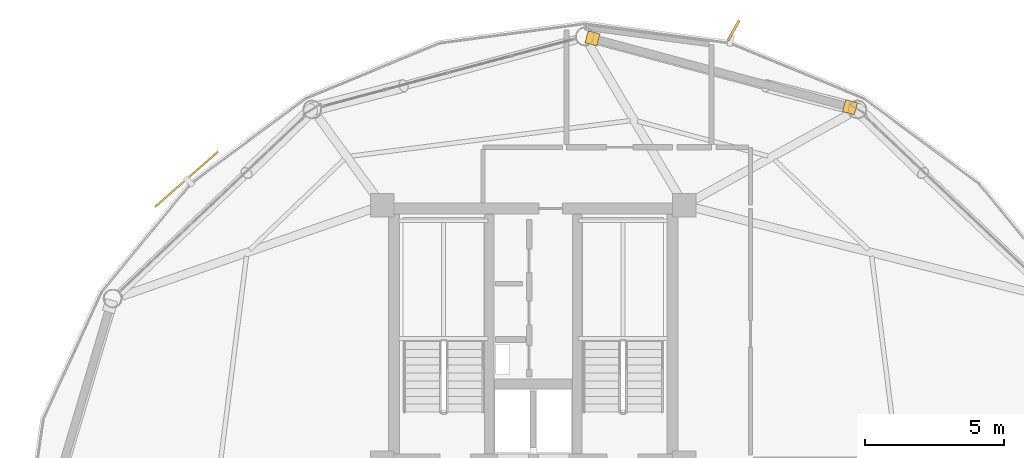
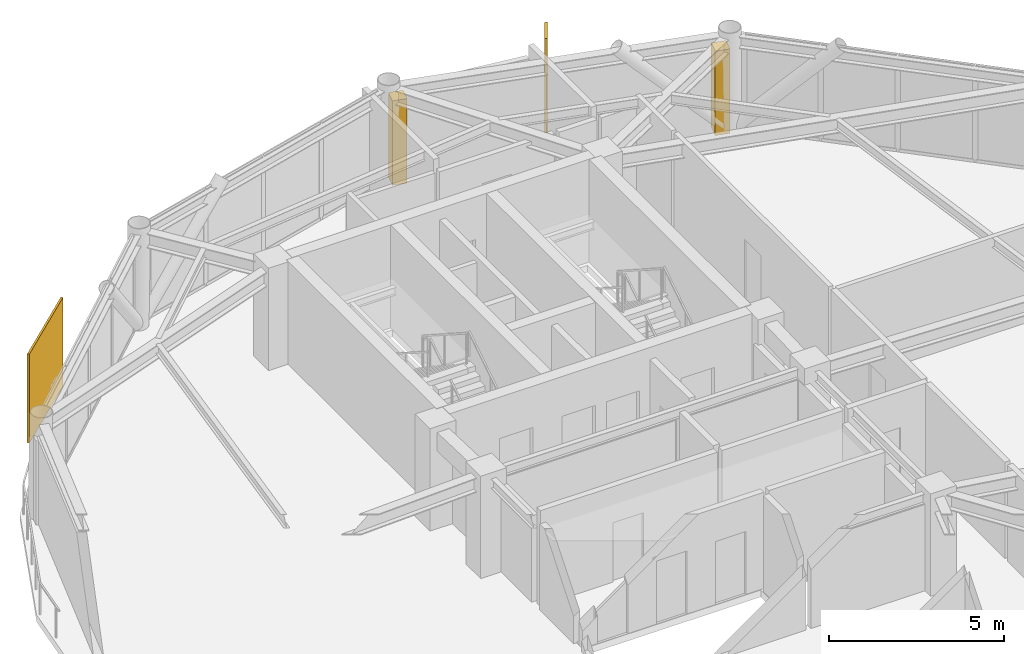
# One storey, part 29 of 29: 2 coverings, 2 shading devices.
"""IFC4 building model written with IfcOpenShell, lengths in metres."""

from ifc_helpers import new_model, si_unit, direction, frame, origin, origin_2d, place, context, subcontext, project, spatial, rectangle, extrude, source, transform, mapped, material, layer, layer_set, type_object, type_shapes, element, save


model = new_model("IFC4")

# Units and contexts
model_context = context("Model", 3, precision=1e-05, world=origin(), true_north=direction((0.0, 1.0)))
body_context = subcontext(model_context, "Body", "Model", "MODEL_VIEW")
ifc_project = project(units=[si_unit("LENGTHUNIT", "METRE"), si_unit("AREAUNIT", "SQUARE_METRE"), si_unit("VOLUMEUNIT", "CUBIC_METRE"), si_unit("PLANEANGLEUNIT", "RADIAN"), si_unit("MASSUNIT", "GRAM", prefix="KILO")], contexts=[model_context])

# Site, building, storey
site_placement = place(None, origin())
site = spatial("IfcSite", under=ifc_project, at=site_placement, CompositionType="ELEMENT")
building_placement = place(site_placement, origin())
building = spatial("IfcBuilding", under=site, at=building_placement, Name="Varnakorn Sky Granary", CompositionType="ELEMENT")
storey_placement = place(building_placement, frame((0.0, 0.0, 182.39990234375)))
storey = spatial("IfcBuildingStorey", under=building, at=storey_placement, Name="L45", CompositionType="ELEMENT", Elevation=182.39990234375)

# Shading devices
ifc_material = material(Name="Anodised Bronze Aluminium Alloy 6063-T6", Category="aluminium")
shading_device_type_1 = type_object("IfcShadingDeviceType", Name="SH-SCR-02", PredefinedType="USERDEFINED", material=ifc_material)
shared_shape_1 = source(origin(), body_context, "Body", "SweptSolid", [
    extrude(rectangle(XDim=3.0, YDim=0.06494140625, at=origin_2d()), origin(), (0.0, 0.0, 1.0), 3.10009765625),
])
type_shapes(shading_device_type_1, [shared_shape_1])
shading_device_1_placement = place(storey_placement, frame((-9.441650390625, 13.552001953125, -0.0400390625), z_axis=(0.0, 0.0, 1.0), x_axis=(-0.75159361985, -0.659626432612, 0.0)))
element("IfcShadingDevice", 1, at=shading_device_1_placement, inside=storey, type_object=shading_device_type_1, Name="Perforated Bronze Solar Screen Panel SCREEN L45-05", ObjectType="SCREEN", PredefinedType="USERDEFINED", context=body_context, shape_type="MappedRepresentation", body=[
    mapped(shared_shape_1, transform((0.0, 0.0, 0.0), x_axis=(1.0, 0.0, 0.0), y_axis=(0.0, 1.0, 0.0), z_axis=(0.0, 0.0, 1.0), scale=1.0)),
])
shading_device_type_2 = type_object("IfcShadingDeviceType", Name="SH-FIN-02", PredefinedType="USERDEFINED", material=ifc_material)
shared_shape_2 = source(origin(), body_context, "Body", "SweptSolid", [
    extrude(rectangle(XDim=0.0849609375, YDim=0.820068359375, at=origin_2d()), origin(), (0.0, 0.0, 1.0), 3.300048828125),
])
type_shapes(shading_device_type_2, [shared_shape_2])
shading_device_2_placement = place(storey_placement, frame((10.185546875, 18.888916015625, -0.0400390625), z_axis=(0.0, 0.0, 1.0), x_axis=(-0.871138964464, 0.49103656136, 0.0)))
element("IfcShadingDevice", 2, at=shading_device_2_placement, inside=storey, type_object=shading_device_type_2, Name="Bronze Solar-Tracking Vertical Blade FIN L45-03", ObjectType="FIN", PredefinedType="USERDEFINED", context=body_context, shape_type="MappedRepresentation", body=[
    mapped(shared_shape_2, transform((0.0, 0.0, 0.0), x_axis=(1.0, 0.0, 0.0), y_axis=(0.0, 1.0, 0.0), z_axis=(0.0, 0.0, 1.0), scale=1.0)),
])

# Coverings
ifc_layer = layer(ifc_material, 0.050048828125, Name="Anodised Bronze Aluminium Alloy 6063-T6")
ifc_layer_set = layer_set([ifc_layer], Name="Anodised Bronze Aluminium Alloy 6063-T6")
covering_type = type_object("IfcCoveringType", Name="CV-CLAD-50", PredefinedType="CLADDING", material=ifc_layer_set)
shared_shape_3 = source(origin(), body_context, "Body", "SweptSolid", [
    extrude(rectangle(XDim=0.43994140625, YDim=0.43994140625, at=origin_2d()), origin(), (0.0, 0.0, 1.0), 2.949951171875),
])
type_shapes(covering_type, [shared_shape_3])
for number, where, z_axis, x_axis, name in (
    (3, (5.125244140625, 18.6083984375, -0.02001953125), (0.0, 0.0, 1.0), (0.96601611233, -0.258481857621, 0.0), "Bronze Corner Pilaster Closure L45-P03-A"),
    (4, (14.36474609375, 16.135986328125, -0.02001953125), (0.0, 0.0, 1.0), (0.96601611233, -0.258481857621, 0.0), "Bronze Corner Pilaster Closure L45-P03-B"),
):
    element("IfcCovering", number, at=place(storey_placement, frame(where, z_axis=z_axis, x_axis=x_axis)), inside=storey, type_object=covering_type, Name=name, PredefinedType="CLADDING", context=body_context, shape_type="MappedRepresentation", body=[
        mapped(shared_shape_3, transform((0.0, 0.0, 0.0), x_axis=(1.0, 0.0, 0.0), y_axis=(0.0, 1.0, 0.0), z_axis=(0.0, 0.0, 1.0), scale=1.0)),
    ])

save(model, "model.ifc")
